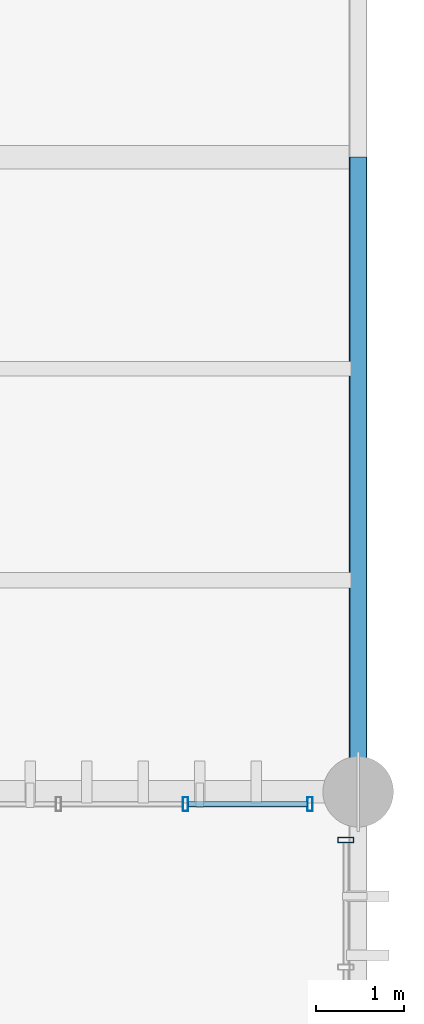
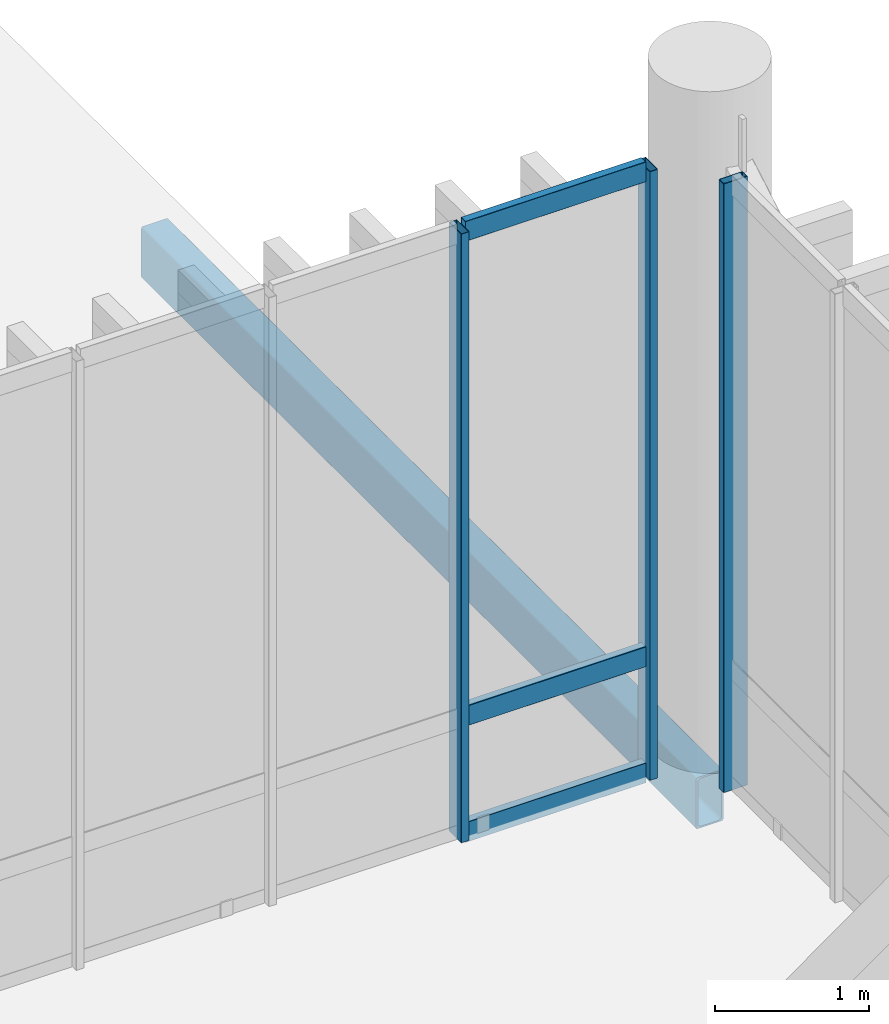
# One storey, part 91 of 128: 6 members, 1 beam, 2 elements without a shape of their own.
"""IFC4 building model written with IfcOpenShell, lengths in metres."""

from ifc_helpers import new_model, si_unit, direction, frame, origin_with_axes, origin_2d_with_axis, place, context, subcontext, project, spatial, hollow_rectangle, extrude, material, material_profile, profile_set, type_object, element, aggregate, save


model = new_model("IFC4")

# Units and contexts
model_context = context("Model", 3, precision=1e-05, world=origin_with_axes(), true_north=direction((0.0, 1.0)))
body_context = subcontext(model_context, "Body", "Model", "MODEL_VIEW")
ifc_project = project(units=[si_unit("LENGTHUNIT", "METRE"), si_unit("AREAUNIT", "SQUARE_METRE"), si_unit("VOLUMEUNIT", "CUBIC_METRE"), si_unit("PLANEANGLEUNIT", "RADIAN"), si_unit("MASSUNIT", "GRAM", prefix="KILO"), si_unit("THERMODYNAMICTEMPERATUREUNIT", "KELVIN")], contexts=[model_context])

# Site, building, storey
site_placement = place(None, origin_with_axes())
site = spatial("IfcSite", under=ifc_project, at=site_placement, CompositionType="ELEMENT")
building_placement = place(site_placement, origin_with_axes())
building = spatial("IfcBuilding", under=site, at=building_placement, Name="Montbau Bow Law Courts", CompositionType="ELEMENT")
storey_placement = place(building_placement, frame((0.0, 0.0, 5.4), z_axis=(0.0, 0.0, 1.0), x_axis=(1.0, 0.0, 0.0)))
storey = spatial("IfcBuildingStorey", under=building, at=storey_placement, Name="L01", CompositionType="ELEMENT", Elevation=5.4)

# Beam
ifc_material_1 = material(Name="Steel CSA G40.21 Grade 350WT (350 MPa)", Category="steel")
ifc_material_profile_1 = material_profile(ifc_material_1, hollow_rectangle(XDim=0.203, YDim=0.406, WallThickness=0.0127, InnerFilletRadius=0.0254, OuterFilletRadius=0.0127, at=origin_2d_with_axis()), Name="HSS406X203X13", Category="Main", Priority=0)
ifc_profile_set_1 = profile_set([ifc_material_profile_1], Name="Steel CSA G40.21 Grade 350WT (350 MPa)")
beam_type = type_object("IfcBeamType", Name="B-SPN-01", PredefinedType="SPANDREL", material=ifc_profile_set_1)
beam_placement = place(None, frame((169.4, 103.2, 4.917), z_axis=(0.0, 1.0, 0.0), x_axis=(-1.0, 0.0, 0.0)))
element("IfcBeam", 1, at=beam_placement, inside=storey, type_object=beam_type, Name="SPN-L01-S1163:bm2_1166", PredefinedType="SPANDREL", context=body_context, shape_type="SweptSolid", body=[
    extrude(hollow_rectangle(XDim=0.203, YDim=0.406, WallThickness=0.0127, InnerFilletRadius=0.0254, OuterFilletRadius=0.0127, at=origin_2d_with_axis()), origin_with_axes(), (0.0, 0.0, 1.0), 7.2),
])

# Curtain wall, member
ifc_material_2 = material(Name="Thermally Broken Extruded Aluminium AA 6063-T6", Category="aluminium")
curtain_wall_type = type_object("IfcCurtainWallType", Name="CW-SLT-01", PredefinedType="NOTDEFINED", material=ifc_material_2)
curtain_wall_1_placement = place(None, frame((169.26, 95.315, 5.4), z_axis=(0.0, 0.0, 1.0), x_axis=(1.0, 0.0, 0.0)))
curtain_wall_1 = element("IfcCurtainWall", 2, at=curtain_wall_1_placement, inside=storey, type_object=curtain_wall_type, Name="CW-L01-292:cw_0292", PredefinedType="NOTDEFINED")
ifc_material_profile_2 = material_profile(ifc_material_2, hollow_rectangle(XDim=0.065, YDim=0.18, WallThickness=0.005, InnerFilletRadius=0.01, OuterFilletRadius=0.005, at=origin_2d_with_axis()), Name="CWM-180X65", Category="Main", Priority=0)
ifc_profile_set_2 = profile_set([ifc_material_profile_2], Name="Thermally Broken Extruded Aluminium AA 6063-T6")
member_type_1 = type_object("IfcMemberType", Name="M-MUL-02", PredefinedType="MULLION", material=ifc_profile_set_2)
member_1_placement = place(None, frame((169.26, 102.653, 5.4), z_axis=(0.0, 0.0, 1.0), x_axis=(0.0, 1.0, 0.0)))
member_1 = element("IfcMember", 3, at=member_1_placement, type_object=member_type_1, Name="CW-L01-292-M06:cw_0292_M06", PredefinedType="MULLION", context=body_context, shape_type="SweptSolid", body=[
    extrude(hollow_rectangle(XDim=0.065, YDim=0.18, WallThickness=0.005, InnerFilletRadius=0.01, OuterFilletRadius=0.005, at=origin_2d_with_axis()), origin_with_axes(), (0.0, 0.0, 1.0), 4.82),
])
aggregate(curtain_wall_1, [member_1])

# Curtain wall, members
curtain_wall_2_placement = place(None, frame((163.115, 103.06, 5.4), z_axis=(0.0, 0.0, 1.0), x_axis=(1.0, 0.0, 0.0)))
curtain_wall_2 = element("IfcCurtainWall", 4, at=curtain_wall_2_placement, inside=storey, type_object=curtain_wall_type, Name="CW-L01-284:cw_0284", PredefinedType="NOTDEFINED")
ifc_material_profile_3 = material_profile(ifc_material_2, hollow_rectangle(XDim=0.06, YDim=0.16, WallThickness=0.004, InnerFilletRadius=0.008, OuterFilletRadius=0.004, at=origin_2d_with_axis()), Name="CWM-160X60", Category="Main", Priority=0)
ifc_profile_set_3 = profile_set([ifc_material_profile_3], Name="Thermally Broken Extruded Aluminium AA 6063-T6")
member_type_2 = type_object("IfcMemberType", Name="M-MUL-03", PredefinedType="MULLION", material=ifc_profile_set_3)
member_2_placement = place(None, frame((167.442, 103.06, 5.4), z_axis=(0.0, 0.0, 1.0), x_axis=(1.0, 0.0, 0.0)))
member_2 = element("IfcMember", 5, at=member_2_placement, type_object=member_type_2, Name="CW-L01-284-M04:cw_0284_M04", PredefinedType="MULLION", context=body_context, shape_type="SweptSolid", body=[
    extrude(hollow_rectangle(XDim=0.06, YDim=0.16, WallThickness=0.004, InnerFilletRadius=0.008, OuterFilletRadius=0.004, at=origin_2d_with_axis()), origin_with_axes(), (0.0, 0.0, 1.0), 4.82),
])
member_3_placement = place(None, frame((168.855, 103.06, 5.4), z_axis=(0.0, 0.0, 1.0), x_axis=(1.0, 0.0, 0.0)))
member_3 = element("IfcMember", 6, at=member_3_placement, type_object=member_type_2, Name="CW-L01-284-M05:cw_0284_M05", PredefinedType="MULLION", context=body_context, shape_type="SweptSolid", body=[
    extrude(hollow_rectangle(XDim=0.06, YDim=0.16, WallThickness=0.004, InnerFilletRadius=0.008, OuterFilletRadius=0.004, at=origin_2d_with_axis()), origin_with_axes(), (0.0, 0.0, 1.0), 4.82),
])
ifc_material_profile_4 = material_profile(ifc_material_2, hollow_rectangle(XDim=0.06, YDim=0.16, WallThickness=0.004, InnerFilletRadius=0.008, OuterFilletRadius=0.004, at=origin_2d_with_axis()), Name="CWT-160X60", Category="Main", Priority=0)
ifc_profile_set_4 = profile_set([ifc_material_profile_4], Name="Thermally Broken Extruded Aluminium AA 6063-T6")
member_type_3 = type_object("IfcMemberType", Name="M-TRN-01", PredefinedType="USERDEFINED", material=ifc_profile_set_4)
member_4_placement = place(None, frame((167.474, 103.06, 5.43), z_axis=(1.0, 0.0, 0.0), x_axis=(0.0, 1.0, 0.0)))
member_4 = element("IfcMember", 7, at=member_4_placement, type_object=member_type_3, Name="CW-L01-284-T04-1:cw_0284_T04_1", ObjectType="TRANSOM", PredefinedType="USERDEFINED", context=body_context, shape_type="SweptSolid", body=[
    extrude(hollow_rectangle(XDim=0.06, YDim=0.16, WallThickness=0.004, InnerFilletRadius=0.008, OuterFilletRadius=0.004, at=origin_2d_with_axis()), origin_with_axes(), (0.0, 0.0, 1.0), 1.349),
])
member_5_placement = place(None, frame((167.474, 103.06, 6.35), z_axis=(1.0, 0.0, 0.0), x_axis=(0.0, 1.0, 0.0)))
member_5 = element("IfcMember", 8, at=member_5_placement, type_object=member_type_3, Name="CW-L01-284-T04-2:cw_0284_T04_2", ObjectType="TRANSOM", PredefinedType="USERDEFINED", context=body_context, shape_type="SweptSolid", body=[
    extrude(hollow_rectangle(XDim=0.06, YDim=0.16, WallThickness=0.004, InnerFilletRadius=0.008, OuterFilletRadius=0.004, at=origin_2d_with_axis()), origin_with_axes(), (0.0, 0.0, 1.0), 1.349),
])
member_6_placement = place(None, frame((167.474, 103.06, 10.19), z_axis=(1.0, 0.0, 0.0), x_axis=(0.0, 1.0, 0.0)))
member_6 = element("IfcMember", 9, at=member_6_placement, type_object=member_type_3, Name="CW-L01-284-T04-3:cw_0284_T04_3", ObjectType="TRANSOM", PredefinedType="USERDEFINED", context=body_context, shape_type="SweptSolid", body=[
    extrude(hollow_rectangle(XDim=0.06, YDim=0.16, WallThickness=0.004, InnerFilletRadius=0.008, OuterFilletRadius=0.004, at=origin_2d_with_axis()), origin_with_axes(), (0.0, 0.0, 1.0), 1.349),
])
aggregate(curtain_wall_2, [member_2, member_3, member_4, member_5, member_6])

save(model, "model.ifc")
